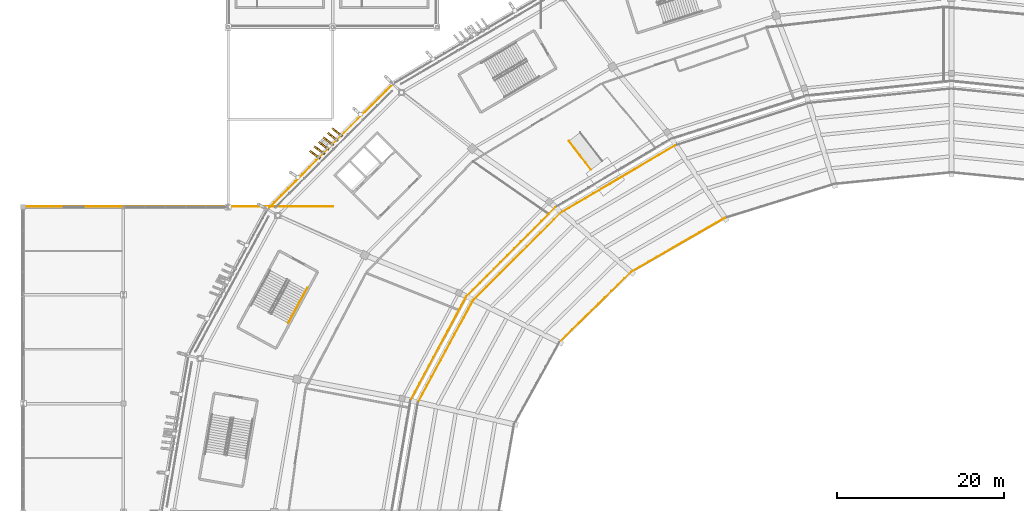
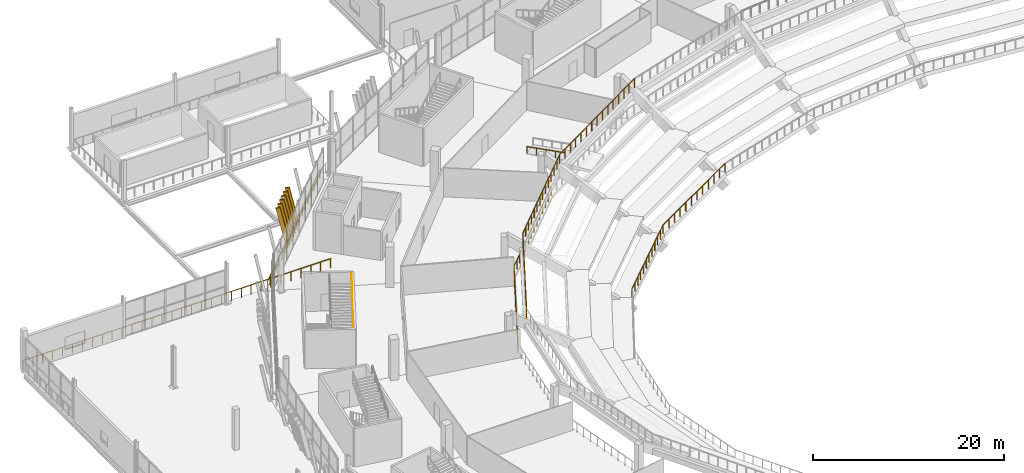
# One storey, part 157 of 178: 11 railings, 6 shading devices.
"""IFC4 building model written with IfcOpenShell, lengths in metres."""

from ifc_helpers import new_model, si_unit, direction, frame, origin, origin_2d, place, context, subcontext, project, spatial, rectangle, extrude, material, material_profile, profile_set, type_object, element, save


model = new_model("IFC4")

# Units and contexts
model_context = context("Model", 3, precision=1e-05, world=origin(), true_north=direction((0.0, 1.0)))
body_context = subcontext(model_context, "Body", "Model", "MODEL_VIEW")
ifc_project = project(units=[si_unit("LENGTHUNIT", "METRE"), si_unit("AREAUNIT", "SQUARE_METRE"), si_unit("VOLUMEUNIT", "CUBIC_METRE"), si_unit("PLANEANGLEUNIT", "RADIAN"), si_unit("MASSUNIT", "GRAM", prefix="KILO")], contexts=[model_context])

# Site, building, storey
site_placement = place(None, origin())
site = spatial("IfcSite", under=ifc_project, at=site_placement, CompositionType="ELEMENT")
building_placement = place(site_placement, origin())
building = spatial("IfcBuilding", under=site, at=building_placement, Name="Zlatoyarsky Gate Stadium", CompositionType="ELEMENT")
storey_placement = place(building_placement, frame((0.0, 0.0, 5.39990234375)))
storey = spatial("IfcBuildingStorey", under=building, at=storey_placement, Name="L01", CompositionType="ELEMENT", Elevation=5.39990234375)

# Railings
ifc_material_1 = material(Name="Galvanised steel sightline guardrail", Category="steel")
railing_type_1 = type_object("IfcRailingType", Name="BOWL FRONT SIGHTLINE GUARDRAIL 1150", PredefinedType="GUARDRAIL", material=ifc_material_1)
railing_1_placement = place(storey_placement, frame((83.925048828125, 115.203857421875, -3.349853515625)))
element("IfcRailing", 1, at=railing_1_placement, inside=storey, type_object=railing_type_1, Name="Lower bowl front guardrail 08", PredefinedType="GUARDRAIL", context=body_context, shape_type="SweptSolid", body=[
    extrude(rectangle(XDim=0.048095703125, YDim=0.048095703125, at=origin_2d()), frame((0.0, 0.0, 1.1259765625), z_axis=(-0.866524556925, -0.499134443057, 0.0), x_axis=(0.499134443057, -0.866524556925, 0.0)), (0.0, 0.0, 1.0), 12.9423828125),
    extrude(rectangle(XDim=0.0419921875, YDim=0.0419921875, at=origin_2d()), origin(), (0.0, 0.0, 1.0), 1.101806640625),
    extrude(rectangle(XDim=0.0419921875, YDim=0.0419921875, at=origin_2d()), frame((-1.01953125, -0.587158203125, 0.0)), (0.0, 0.0, 1.0), 1.101806640625),
    extrude(rectangle(XDim=0.0419921875, YDim=0.0419921875, at=origin_2d()), frame((-2.0390625, -1.174560546875, 0.0)), (0.0, 0.0, 1.0), 1.101806640625),
    extrude(rectangle(XDim=0.0419921875, YDim=0.0419921875, at=origin_2d()), frame((-3.05859375, -1.76171875, 0.0)), (0.0, 0.0, 1.0), 1.101806640625),
    extrude(rectangle(XDim=0.0419921875, YDim=0.0419921875, at=origin_2d()), frame((-4.078125, -2.34912109375, 0.0)), (0.0, 0.0, 1.0), 1.101806640625),
    extrude(rectangle(XDim=0.0419921875, YDim=0.0419921875, at=origin_2d()), frame((-5.09765625, -2.936279296875, 0.0)), (0.0, 0.0, 1.0), 1.101806640625),
    extrude(rectangle(XDim=0.0419921875, YDim=0.0419921875, at=origin_2d()), frame((-6.1171875, -3.523681640625, 0.0)), (0.0, 0.0, 1.0), 1.101806640625),
    extrude(rectangle(XDim=0.0419921875, YDim=0.0419921875, at=origin_2d()), frame((-7.13671875, -4.11083984375, 0.0)), (0.0, 0.0, 1.0), 1.101806640625),
    extrude(rectangle(XDim=0.0419921875, YDim=0.0419921875, at=origin_2d()), frame((-8.15625, -4.6982421875, 0.0)), (0.0, 0.0, 1.0), 1.101806640625),
    extrude(rectangle(XDim=0.0419921875, YDim=0.0419921875, at=origin_2d()), frame((-9.17578125, -5.285400390625, 0.0)), (0.0, 0.0, 1.0), 1.101806640625),
    extrude(rectangle(XDim=0.0419921875, YDim=0.0419921875, at=origin_2d()), frame((-10.1953125, -5.872802734375, 0.0)), (0.0, 0.0, 1.0), 1.101806640625),
    extrude(rectangle(XDim=0.0419921875, YDim=0.0419921875, at=origin_2d()), frame((-11.21484375, -6.4599609375, 0.0)), (0.0, 0.0, 1.0), 1.101806640625),
])
railing_2_placement = place(storey_placement, frame((72.710205078125, 108.743896484375, -3.349853515625)))
element("IfcRailing", 2, at=railing_2_placement, inside=storey, type_object=railing_type_1, Name="Lower bowl front guardrail 09", PredefinedType="GUARDRAIL", context=body_context, shape_type="SweptSolid", body=[
    extrude(rectangle(XDim=0.048095703125, YDim=0.048095703125, at=origin_2d()), frame((0.0, 0.0, 1.1259765625), z_axis=(-0.714811106108, -0.699317583495, 0.0), x_axis=(0.699317583495, -0.714811106108, 0.0)), (0.0, 0.0, 1.0), 12.038818359375),
    extrude(rectangle(XDim=0.0419921875, YDim=0.0419921875, at=origin_2d()), origin(), (0.0, 0.0, 1.0), 1.101806640625),
    extrude(rectangle(XDim=0.0419921875, YDim=0.0419921875, at=origin_2d()), frame((-0.7822265625, -0.765380859375, 0.0)), (0.0, 0.0, 1.0), 1.101806640625),
    extrude(rectangle(XDim=0.0419921875, YDim=0.0419921875, at=origin_2d()), frame((-1.564697265625, -1.53076171875, 0.0)), (0.0, 0.0, 1.0), 1.101806640625),
    extrude(rectangle(XDim=0.0419921875, YDim=0.0419921875, at=origin_2d()), frame((-2.346923828125, -2.296142578125, 0.0)), (0.0, 0.0, 1.0), 1.101806640625),
    extrude(rectangle(XDim=0.0419921875, YDim=0.0419921875, at=origin_2d()), frame((-3.129150390625, -3.0615234375, 0.0)), (0.0, 0.0, 1.0), 1.101806640625),
    extrude(rectangle(XDim=0.0419921875, YDim=0.0419921875, at=origin_2d()), frame((-3.91162109375, -3.826904296875, 0.0)), (0.0, 0.0, 1.0), 1.101806640625),
    extrude(rectangle(XDim=0.0419921875, YDim=0.0419921875, at=origin_2d()), frame((-4.69384765625, -4.592041015625, 0.0)), (0.0, 0.0, 1.0), 1.101806640625),
    extrude(rectangle(XDim=0.0419921875, YDim=0.0419921875, at=origin_2d()), frame((-5.476318359375, -5.357421875, 0.0)), (0.0, 0.0, 1.0), 1.101806640625),
    extrude(rectangle(XDim=0.0419921875, YDim=0.0419921875, at=origin_2d()), frame((-6.258544921875, -6.122802734375, 0.0)), (0.0, 0.0, 1.0), 1.101806640625),
    extrude(rectangle(XDim=0.0419921875, YDim=0.0419921875, at=origin_2d()), frame((-7.040771484375, -6.88818359375, 0.0)), (0.0, 0.0, 1.0), 1.101806640625),
    extrude(rectangle(XDim=0.0419921875, YDim=0.0419921875, at=origin_2d()), frame((-7.8232421875, -7.653564453125, 0.0)), (0.0, 0.0, 1.0), 1.101806640625),
    extrude(rectangle(XDim=0.0419921875, YDim=0.0419921875, at=origin_2d()), frame((-8.60546875, -8.4189453125, 0.0)), (0.0, 0.0, 1.0), 1.101806640625),
])
ifc_material_2 = material(Name="Powder-coated steel tubular guardrail", Category="steel")
railing_type_2 = type_object("IfcRailingType", Name="CONCOURSE SLAB EDGE GUARDRAIL 1200", PredefinedType="GUARDRAIL", material=ifc_material_2)
railing_3_placement = place(storey_placement, frame((77.97509765625, 123.8642578125, 4.25)))
element("IfcRailing", 3, at=railing_3_placement, inside=storey, type_object=railing_type_2, Name="Lower bowl back guardrail 08", PredefinedType="GUARDRAIL", context=body_context, shape_type="SweptSolid", body=[
    extrude(rectangle(XDim=0.048095703125, YDim=0.048095703125, at=origin_2d()), frame((0.0, 0.0, 1.17578125), z_axis=(-0.861863030795, -0.507141120546, 0.0), x_axis=(0.507141120546, -0.861863030795, 0.0)), (0.0, 0.0, 1.0), 15.871826171875),
    extrude(rectangle(XDim=0.0419921875, YDim=0.0419921875, at=origin_2d()), origin(), (0.0, 0.0, 1.0), 1.15185546875),
    extrude(rectangle(XDim=0.0419921875, YDim=0.0419921875, at=origin_2d()), frame((-0.97705078125, -0.574951171875, 0.0)), (0.0, 0.0, 1.0), 1.15185546875),
    extrude(rectangle(XDim=0.0419921875, YDim=0.0419921875, at=origin_2d()), frame((-1.9541015625, -1.14990234375, 0.0)), (0.0, 0.0, 1.0), 1.15185546875),
    extrude(rectangle(XDim=0.0419921875, YDim=0.0419921875, at=origin_2d()), frame((-2.931396484375, -1.724853515625, 0.0)), (0.0, 0.0, 1.0), 1.15185546875),
    extrude(rectangle(XDim=0.0419921875, YDim=0.0419921875, at=origin_2d()), frame((-3.908447265625, -2.2998046875, 0.0)), (0.0, 0.0, 1.0), 1.15185546875),
    extrude(rectangle(XDim=0.0419921875, YDim=0.0419921875, at=origin_2d()), frame((-4.885498046875, -2.874755859375, 0.0)), (0.0, 0.0, 1.0), 1.15185546875),
    extrude(rectangle(XDim=0.0419921875, YDim=0.0419921875, at=origin_2d()), frame((-5.862548828125, -3.44970703125, 0.0)), (0.0, 0.0, 1.0), 1.15185546875),
    extrude(rectangle(XDim=0.0419921875, YDim=0.0419921875, at=origin_2d()), frame((-6.83984375, -4.024658203125, 0.0)), (0.0, 0.0, 1.0), 1.15185546875),
    extrude(rectangle(XDim=0.0419921875, YDim=0.0419921875, at=origin_2d()), frame((-7.81689453125, -4.599609375, 0.0)), (0.0, 0.0, 1.0), 1.15185546875),
    extrude(rectangle(XDim=0.0419921875, YDim=0.0419921875, at=origin_2d()), frame((-8.7939453125, -5.174560546875, 0.0)), (0.0, 0.0, 1.0), 1.15185546875),
    extrude(rectangle(XDim=0.0419921875, YDim=0.0419921875, at=origin_2d()), frame((-9.77099609375, -5.74951171875, 0.0)), (0.0, 0.0, 1.0), 1.15185546875),
    extrude(rectangle(XDim=0.0419921875, YDim=0.0419921875, at=origin_2d()), frame((-10.748046875, -6.324462890625, 0.0)), (0.0, 0.0, 1.0), 1.15185546875),
    extrude(rectangle(XDim=0.0419921875, YDim=0.0419921875, at=origin_2d()), frame((-11.725341796875, -6.8994140625, 0.0)), (0.0, 0.0, 1.0), 1.15185546875),
    extrude(rectangle(XDim=0.0419921875, YDim=0.0419921875, at=origin_2d()), frame((-12.702392578125, -7.474365234375, 0.0)), (0.0, 0.0, 1.0), 1.15185546875),
    extrude(rectangle(XDim=0.0419921875, YDim=0.0419921875, at=origin_2d()), frame((-13.679443359375, -8.04931640625, 0.0)), (0.0, 0.0, 1.0), 1.15185546875),
])
railing_4_placement = place(storey_placement, frame((64.295654296875, 115.81494140625, 4.25)))
element("IfcRailing", 4, at=railing_4_placement, inside=storey, type_object=railing_type_2, Name="Lower bowl back guardrail 09", PredefinedType="GUARDRAIL", context=body_context, shape_type="SweptSolid", body=[
    extrude(rectangle(XDim=0.048095703125, YDim=0.048095703125, at=origin_2d()), frame((0.0, 0.0, 1.17578125), z_axis=(-0.707328845655, -0.706884646957, 0.0), x_axis=(0.706884646957, -0.707328845655, 0.0)), (0.0, 0.0, 1.0), 14.83984375),
    extrude(rectangle(XDim=0.0419921875, YDim=0.0419921875, at=origin_2d()), origin(), (0.0, 0.0, 1.0), 1.15185546875),
    extrude(rectangle(XDim=0.0419921875, YDim=0.0419921875, at=origin_2d()), frame((-0.807373046875, -0.806884765625, 0.0)), (0.0, 0.0, 1.0), 1.15185546875),
    extrude(rectangle(XDim=0.0419921875, YDim=0.0419921875, at=origin_2d()), frame((-1.61474609375, -1.61376953125, 0.0)), (0.0, 0.0, 1.0), 1.15185546875),
    extrude(rectangle(XDim=0.0419921875, YDim=0.0419921875, at=origin_2d()), frame((-2.42236328125, -2.420654296875, 0.0)), (0.0, 0.0, 1.0), 1.15185546875),
    extrude(rectangle(XDim=0.0419921875, YDim=0.0419921875, at=origin_2d()), frame((-3.229736328125, -3.227783203125, 0.0)), (0.0, 0.0, 1.0), 1.15185546875),
    extrude(rectangle(XDim=0.0419921875, YDim=0.0419921875, at=origin_2d()), frame((-4.037109375, -4.03466796875, 0.0)), (0.0, 0.0, 1.0), 1.15185546875),
    extrude(rectangle(XDim=0.0419921875, YDim=0.0419921875, at=origin_2d()), frame((-4.844482421875, -4.841552734375, 0.0)), (0.0, 0.0, 1.0), 1.15185546875),
    extrude(rectangle(XDim=0.0419921875, YDim=0.0419921875, at=origin_2d()), frame((-5.652099609375, -5.6484375, 0.0)), (0.0, 0.0, 1.0), 1.15185546875),
    extrude(rectangle(XDim=0.0419921875, YDim=0.0419921875, at=origin_2d()), frame((-6.45947265625, -6.455322265625, 0.0)), (0.0, 0.0, 1.0), 1.15185546875),
    extrude(rectangle(XDim=0.0419921875, YDim=0.0419921875, at=origin_2d()), frame((-7.266845703125, -7.26220703125, 0.0)), (0.0, 0.0, 1.0), 1.15185546875),
    extrude(rectangle(XDim=0.0419921875, YDim=0.0419921875, at=origin_2d()), frame((-8.07421875, -8.0693359375, 0.0)), (0.0, 0.0, 1.0), 1.15185546875),
    extrude(rectangle(XDim=0.0419921875, YDim=0.0419921875, at=origin_2d()), frame((-8.8818359375, -8.876220703125, 0.0)), (0.0, 0.0, 1.0), 1.15185546875),
    extrude(rectangle(XDim=0.0419921875, YDim=0.0419921875, at=origin_2d()), frame((-9.689208984375, -9.68310546875, 0.0)), (0.0, 0.0, 1.0), 1.15185546875),
    extrude(rectangle(XDim=0.0419921875, YDim=0.0419921875, at=origin_2d()), frame((-10.49658203125, -10.489990234375, 0.0)), (0.0, 0.0, 1.0), 1.15185546875),
])
railing_5_placement = place(storey_placement, frame((63.637939453125, 116.47265625, 0.0)))
element("IfcRailing", 5, at=railing_5_placement, inside=storey, type_object=railing_type_2, Name="L01 inner bowl edge guardrail 09", PredefinedType="GUARDRAIL", context=body_context, shape_type="SweptSolid", body=[
    extrude(rectangle(XDim=0.048095703125, YDim=0.048095703125, at=origin_2d()), frame((0.0, 0.0, 1.17578125), z_axis=(-0.70583478362, -0.708376494692, 0.0), x_axis=(0.708376494692, -0.70583478362, 0.0)), (0.0, 0.0, 1.0), 15.080322265625),
    extrude(rectangle(XDim=0.0419921875, YDim=0.0419921875, at=origin_2d()), origin(), (0.0, 0.0, 1.0), 1.15185546875),
    extrude(rectangle(XDim=0.0419921875, YDim=0.0419921875, at=origin_2d()), frame((-0.81884765625, -0.82177734375, 0.0)), (0.0, 0.0, 1.0), 1.15185546875),
    extrude(rectangle(XDim=0.0419921875, YDim=0.0419921875, at=origin_2d()), frame((-1.6376953125, -1.6435546875, 0.0)), (0.0, 0.0, 1.0), 1.15185546875),
    extrude(rectangle(XDim=0.0419921875, YDim=0.0419921875, at=origin_2d()), frame((-2.456298828125, -2.46533203125, 0.0)), (0.0, 0.0, 1.0), 1.15185546875),
    extrude(rectangle(XDim=0.0419921875, YDim=0.0419921875, at=origin_2d()), frame((-3.275146484375, -3.286865234375, 0.0)), (0.0, 0.0, 1.0), 1.15185546875),
    extrude(rectangle(XDim=0.0419921875, YDim=0.0419921875, at=origin_2d()), frame((-4.093994140625, -4.108642578125, 0.0)), (0.0, 0.0, 1.0), 1.15185546875),
    extrude(rectangle(XDim=0.0419921875, YDim=0.0419921875, at=origin_2d()), frame((-4.912841796875, -4.930419921875, 0.0)), (0.0, 0.0, 1.0), 1.15185546875),
    extrude(rectangle(XDim=0.0419921875, YDim=0.0419921875, at=origin_2d()), frame((-5.7314453125, -5.752197265625, 0.0)), (0.0, 0.0, 1.0), 1.15185546875),
    extrude(rectangle(XDim=0.0419921875, YDim=0.0419921875, at=origin_2d()), frame((-6.55029296875, -6.573974609375, 0.0)), (0.0, 0.0, 1.0), 1.15185546875),
    extrude(rectangle(XDim=0.0419921875, YDim=0.0419921875, at=origin_2d()), frame((-7.369140625, -7.395751953125, 0.0)), (0.0, 0.0, 1.0), 1.15185546875),
    extrude(rectangle(XDim=0.0419921875, YDim=0.0419921875, at=origin_2d()), frame((-8.18798828125, -8.21728515625, 0.0)), (0.0, 0.0, 1.0), 1.15185546875),
    extrude(rectangle(XDim=0.0419921875, YDim=0.0419921875, at=origin_2d()), frame((-9.006591796875, -9.0390625, 0.0)), (0.0, 0.0, 1.0), 1.15185546875),
    extrude(rectangle(XDim=0.0419921875, YDim=0.0419921875, at=origin_2d()), frame((-9.825439453125, -9.86083984375, 0.0)), (0.0, 0.0, 1.0), 1.15185546875),
    extrude(rectangle(XDim=0.0419921875, YDim=0.0419921875, at=origin_2d()), frame((-10.644287109375, -10.6826171875, 0.0)), (0.0, 0.0, 1.0), 1.15185546875),
])
railing_6_placement = place(storey_placement, frame((53.799072265625, 105.324951171875, 4.25)))
element("IfcRailing", 6, at=railing_6_placement, inside=storey, type_object=railing_type_2, Name="Lower bowl back guardrail 10", PredefinedType="GUARDRAIL", context=body_context, shape_type="SweptSolid", body=[
    extrude(rectangle(XDim=0.048095703125, YDim=0.048095703125, at=origin_2d()), frame((0.0, 0.0, 1.17578125), z_axis=(-0.475251836211, -0.879849812285, 0.0), x_axis=(0.879849812285, -0.475251836211, 0.0)), (0.0, 0.0, 1.0), 13.884033203125),
    extrude(rectangle(XDim=0.0419921875, YDim=0.0419921875, at=origin_2d()), origin(), (0.0, 0.0, 1.0), 1.15185546875),
    extrude(rectangle(XDim=0.0419921875, YDim=0.0419921875, at=origin_2d()), frame((-0.5498046875, -1.01806640625, 0.0)), (0.0, 0.0, 1.0), 1.15185546875),
    extrude(rectangle(XDim=0.0419921875, YDim=0.0419921875, at=origin_2d()), frame((-1.099609375, -2.035888671875, 0.0)), (0.0, 0.0, 1.0), 1.15185546875),
    extrude(rectangle(XDim=0.0419921875, YDim=0.0419921875, at=origin_2d()), frame((-1.649658203125, -3.053955078125, 0.0)), (0.0, 0.0, 1.0), 1.15185546875),
    extrude(rectangle(XDim=0.0419921875, YDim=0.0419921875, at=origin_2d()), frame((-2.199462890625, -4.072021484375, 0.0)), (0.0, 0.0, 1.0), 1.15185546875),
    extrude(rectangle(XDim=0.0419921875, YDim=0.0419921875, at=origin_2d()), frame((-2.749267578125, -5.08984375, 0.0)), (0.0, 0.0, 1.0), 1.15185546875),
    extrude(rectangle(XDim=0.0419921875, YDim=0.0419921875, at=origin_2d()), frame((-3.29931640625, -6.10791015625, 0.0)), (0.0, 0.0, 1.0), 1.15185546875),
    extrude(rectangle(XDim=0.0419921875, YDim=0.0419921875, at=origin_2d()), frame((-3.84912109375, -7.1259765625, 0.0)), (0.0, 0.0, 1.0), 1.15185546875),
    extrude(rectangle(XDim=0.0419921875, YDim=0.0419921875, at=origin_2d()), frame((-4.39892578125, -8.143798828125, 0.0)), (0.0, 0.0, 1.0), 1.15185546875),
    extrude(rectangle(XDim=0.0419921875, YDim=0.0419921875, at=origin_2d()), frame((-4.94873046875, -9.161865234375, 0.0)), (0.0, 0.0, 1.0), 1.15185546875),
    extrude(rectangle(XDim=0.0419921875, YDim=0.0419921875, at=origin_2d()), frame((-5.49853515625, -10.179931640625, 0.0)), (0.0, 0.0, 1.0), 1.15185546875),
    extrude(rectangle(XDim=0.0419921875, YDim=0.0419921875, at=origin_2d()), frame((-6.048583984375, -11.19775390625, 0.0)), (0.0, 0.0, 1.0), 1.15185546875),
    extrude(rectangle(XDim=0.0419921875, YDim=0.0419921875, at=origin_2d()), frame((-6.598388671875, -12.2158203125, 0.0)), (0.0, 0.0, 1.0), 1.15185546875),
])
railing_7_placement = place(storey_placement, frame((52.99365234375, 105.7900390625, 0.0)))
element("IfcRailing", 7, at=railing_7_placement, inside=storey, type_object=railing_type_2, Name="L01 inner bowl edge guardrail 10", PredefinedType="GUARDRAIL", context=body_context, shape_type="SweptSolid", body=[
    extrude(rectangle(XDim=0.048095703125, YDim=0.048095703125, at=origin_2d()), frame((0.0, 0.0, 1.17578125), z_axis=(-0.473707090827, -0.880682458154, 0.0), x_axis=(0.880682458154, -0.473707090827, 0.0)), (0.0, 0.0, 1.0), 14.125732421875),
    extrude(rectangle(XDim=0.0419921875, YDim=0.0419921875, at=origin_2d()), origin(), (0.0, 0.0, 1.0), 1.15185546875),
    extrude(rectangle(XDim=0.0419921875, YDim=0.0419921875, at=origin_2d()), frame((-0.5576171875, -1.03662109375, 0.0)), (0.0, 0.0, 1.0), 1.15185546875),
    extrude(rectangle(XDim=0.0419921875, YDim=0.0419921875, at=origin_2d()), frame((-1.115234375, -2.0732421875, 0.0)), (0.0, 0.0, 1.0), 1.15185546875),
    extrude(rectangle(XDim=0.0419921875, YDim=0.0419921875, at=origin_2d()), frame((-1.6728515625, -3.110107421875, 0.0)), (0.0, 0.0, 1.0), 1.15185546875),
    extrude(rectangle(XDim=0.0419921875, YDim=0.0419921875, at=origin_2d()), frame((-2.23046875, -4.146728515625, 0.0)), (0.0, 0.0, 1.0), 1.15185546875),
    extrude(rectangle(XDim=0.0419921875, YDim=0.0419921875, at=origin_2d()), frame((-2.7880859375, -5.183349609375, 0.0)), (0.0, 0.0, 1.0), 1.15185546875),
    extrude(rectangle(XDim=0.0419921875, YDim=0.0419921875, at=origin_2d()), frame((-3.345703125, -6.22021484375, 0.0)), (0.0, 0.0, 1.0), 1.15185546875),
    extrude(rectangle(XDim=0.0419921875, YDim=0.0419921875, at=origin_2d()), frame((-3.9033203125, -7.2568359375, 0.0)), (0.0, 0.0, 1.0), 1.15185546875),
    extrude(rectangle(XDim=0.0419921875, YDim=0.0419921875, at=origin_2d()), frame((-4.4609375, -8.29345703125, 0.0)), (0.0, 0.0, 1.0), 1.15185546875),
    extrude(rectangle(XDim=0.0419921875, YDim=0.0419921875, at=origin_2d()), frame((-5.0185546875, -9.330078125, 0.0)), (0.0, 0.0, 1.0), 1.15185546875),
    extrude(rectangle(XDim=0.0419921875, YDim=0.0419921875, at=origin_2d()), frame((-5.576171875, -10.36669921875, 0.0)), (0.0, 0.0, 1.0), 1.15185546875),
    extrude(rectangle(XDim=0.0419921875, YDim=0.0419921875, at=origin_2d()), frame((-6.1337890625, -11.403564453125, 0.0)), (0.0, 0.0, 1.0), 1.15185546875),
    extrude(rectangle(XDim=0.0419921875, YDim=0.0419921875, at=origin_2d()), frame((-6.69140625, -12.440185546875, 0.0)), (0.0, 0.0, 1.0), 1.15185546875),
])
railing_8_placement = place(storey_placement, frame((44.22900390625, 131.214599609375, 0.0)))
element("IfcRailing", 8, at=railing_8_placement, inside=storey, type_object=railing_type_2, Name="L01 outer slab edge guardrail 09", PredefinedType="GUARDRAIL", context=body_context, shape_type="SweptSolid", body=[
    extrude(rectangle(XDim=0.048095703125, YDim=0.048095703125, at=origin_2d()), frame((0.0, 0.0, 1.17578125), z_axis=(-0.707250593855, -0.706962939263, 0.0), x_axis=(0.706962939263, -0.707250593855, 0.0)), (0.0, 0.0, 1.0), 21.21826171875),
    extrude(rectangle(XDim=0.0419921875, YDim=0.0419921875, at=origin_2d()), origin(), (0.0, 0.0, 1.0), 1.15185546875),
    extrude(rectangle(XDim=0.0419921875, YDim=0.0419921875, at=origin_2d()), frame((-0.833740234375, -0.833251953125, 0.0)), (0.0, 0.0, 1.0), 1.15185546875),
    extrude(rectangle(XDim=0.0419921875, YDim=0.0419921875, at=origin_2d()), frame((-1.66748046875, -1.666748046875, 0.0)), (0.0, 0.0, 1.0), 1.15185546875),
    extrude(rectangle(XDim=0.0419921875, YDim=0.0419921875, at=origin_2d()), frame((-2.5009765625, -2.5, 0.0)), (0.0, 0.0, 1.0), 1.15185546875),
    extrude(rectangle(XDim=0.0419921875, YDim=0.0419921875, at=origin_2d()), frame((-3.334716796875, -3.33349609375, 0.0)), (0.0, 0.0, 1.0), 1.15185546875),
    extrude(rectangle(XDim=0.0419921875, YDim=0.0419921875, at=origin_2d()), frame((-4.16845703125, -4.166748046875, 0.0)), (0.0, 0.0, 1.0), 1.15185546875),
    extrude(rectangle(XDim=0.0419921875, YDim=0.0419921875, at=origin_2d()), frame((-5.002197265625, -5.000244140625, 0.0)), (0.0, 0.0, 1.0), 1.15185546875),
    extrude(rectangle(XDim=0.0419921875, YDim=0.0419921875, at=origin_2d()), frame((-5.8359375, -5.83349609375, 0.0)), (0.0, 0.0, 1.0), 1.15185546875),
    extrude(rectangle(XDim=0.0419921875, YDim=0.0419921875, at=origin_2d()), frame((-6.669677734375, -6.6669921875, 0.0)), (0.0, 0.0, 1.0), 1.15185546875),
    extrude(rectangle(XDim=0.0419921875, YDim=0.0419921875, at=origin_2d()), frame((-7.50341796875, -7.500244140625, 0.0)), (0.0, 0.0, 1.0), 1.15185546875),
    extrude(rectangle(XDim=0.0419921875, YDim=0.0419921875, at=origin_2d()), frame((-8.3369140625, -8.33349609375, 0.0)), (0.0, 0.0, 1.0), 1.15185546875),
    extrude(rectangle(XDim=0.0419921875, YDim=0.0419921875, at=origin_2d()), frame((-9.170654296875, -9.1669921875, 0.0)), (0.0, 0.0, 1.0), 1.15185546875),
    extrude(rectangle(XDim=0.0419921875, YDim=0.0419921875, at=origin_2d()), frame((-10.00439453125, -10.000244140625, 0.0)), (0.0, 0.0, 1.0), 1.15185546875),
    extrude(rectangle(XDim=0.0419921875, YDim=0.0419921875, at=origin_2d()), frame((-10.838134765625, -10.833740234375, 0.0)), (0.0, 0.0, 1.0), 1.15185546875),
    extrude(rectangle(XDim=0.0419921875, YDim=0.0419921875, at=origin_2d()), frame((-11.671875, -11.6669921875, 0.0)), (0.0, 0.0, 1.0), 1.15185546875),
    extrude(rectangle(XDim=0.0419921875, YDim=0.0419921875, at=origin_2d()), frame((-12.50537109375, -12.50048828125, 0.0)), (0.0, 0.0, 1.0), 1.15185546875),
    extrude(rectangle(XDim=0.0419921875, YDim=0.0419921875, at=origin_2d()), frame((-13.339111328125, -13.333740234375, 0.0)), (0.0, 0.0, 1.0), 1.15185546875),
    extrude(rectangle(XDim=0.0419921875, YDim=0.0419921875, at=origin_2d()), frame((-14.1728515625, -14.167236328125, 0.0)), (0.0, 0.0, 1.0), 1.15185546875),
    extrude(rectangle(XDim=0.0419921875, YDim=0.0419921875, at=origin_2d()), frame((-15.006591796875, -15.00048828125, 0.0)), (0.0, 0.0, 1.0), 1.15185546875),
])
railing_9_placement = place(storey_placement, frame((-0.080078125, 116.580078125, 0.0)))
element("IfcRailing", 9, at=railing_9_placement, inside=storey, type_object=railing_type_2, Name="V4_WEST L01 N slab edge guardrail", PredefinedType="GUARDRAIL", context=body_context, shape_type="SweptSolid", body=[
    extrude(rectangle(XDim=0.048095703125, YDim=0.048095703125, at=origin_2d()), frame((0.0, 0.0, 1.17578125), z_axis=(1.0, 0.0, 0.0), x_axis=(0.0, 1.0, 0.0)), (0.0, 0.0, 1.0), 37.16015625),
    extrude(rectangle(XDim=0.0419921875, YDim=0.0419921875, at=origin_2d()), origin(), (0.0, 0.0, 1.0), 1.15185546875),
    extrude(rectangle(XDim=0.0419921875, YDim=0.0419921875, at=origin_2d()), frame((1.19873046875, 0.0, 0.0)), (0.0, 0.0, 1.0), 1.15185546875),
    extrude(rectangle(XDim=0.0419921875, YDim=0.0419921875, at=origin_2d()), frame((2.3974609375, 0.0, 0.0)), (0.0, 0.0, 1.0), 1.15185546875),
    extrude(rectangle(XDim=0.0419921875, YDim=0.0419921875, at=origin_2d()), frame((3.59619140625, 0.0, 0.0)), (0.0, 0.0, 1.0), 1.15185546875),
    extrude(rectangle(XDim=0.0419921875, YDim=0.0419921875, at=origin_2d()), frame((4.794921875, 0.0, 0.0)), (0.0, 0.0, 1.0), 1.15185546875),
    extrude(rectangle(XDim=0.0419921875, YDim=0.0419921875, at=origin_2d()), frame((5.99365234375, 0.0, 0.0)), (0.0, 0.0, 1.0), 1.15185546875),
    extrude(rectangle(XDim=0.0419921875, YDim=0.0419921875, at=origin_2d()), frame((7.1923828125, 0.0, 0.0)), (0.0, 0.0, 1.0), 1.15185546875),
    extrude(rectangle(XDim=0.0419921875, YDim=0.0419921875, at=origin_2d()), frame((8.39111328125, 0.0, 0.0)), (0.0, 0.0, 1.0), 1.15185546875),
    extrude(rectangle(XDim=0.0419921875, YDim=0.0419921875, at=origin_2d()), frame((9.589599609375, 0.0, 0.0)), (0.0, 0.0, 1.0), 1.15185546875),
    extrude(rectangle(XDim=0.0419921875, YDim=0.0419921875, at=origin_2d()), frame((10.788330078125, 0.0, 0.0)), (0.0, 0.0, 1.0), 1.15185546875),
    extrude(rectangle(XDim=0.0419921875, YDim=0.0419921875, at=origin_2d()), frame((11.987060546875, 0.0, 0.0)), (0.0, 0.0, 1.0), 1.15185546875),
    extrude(rectangle(XDim=0.0419921875, YDim=0.0419921875, at=origin_2d()), frame((13.185791015625, 0.0, 0.0)), (0.0, 0.0, 1.0), 1.15185546875),
    extrude(rectangle(XDim=0.0419921875, YDim=0.0419921875, at=origin_2d()), frame((14.384521484375, 0.0, 0.0)), (0.0, 0.0, 1.0), 1.15185546875),
    extrude(rectangle(XDim=0.0419921875, YDim=0.0419921875, at=origin_2d()), frame((15.583251953125, 0.0, 0.0)), (0.0, 0.0, 1.0), 1.15185546875),
    extrude(rectangle(XDim=0.0419921875, YDim=0.0419921875, at=origin_2d()), frame((16.781982421875, 0.0, 0.0)), (0.0, 0.0, 1.0), 1.15185546875),
    extrude(rectangle(XDim=0.0419921875, YDim=0.0419921875, at=origin_2d()), frame((17.980712890625, 0.0, 0.0)), (0.0, 0.0, 1.0), 1.15185546875),
    extrude(rectangle(XDim=0.0419921875, YDim=0.0419921875, at=origin_2d()), frame((19.179443359375, 0.0, 0.0)), (0.0, 0.0, 1.0), 1.15185546875),
    extrude(rectangle(XDim=0.0419921875, YDim=0.0419921875, at=origin_2d()), frame((20.378173828125, 0.0, 0.0)), (0.0, 0.0, 1.0), 1.15185546875),
    extrude(rectangle(XDim=0.0419921875, YDim=0.0419921875, at=origin_2d()), frame((21.576904296875, 0.0, 0.0)), (0.0, 0.0, 1.0), 1.15185546875),
    extrude(rectangle(XDim=0.0419921875, YDim=0.0419921875, at=origin_2d()), frame((22.775634765625, 0.0, 0.0)), (0.0, 0.0, 1.0), 1.15185546875),
    extrude(rectangle(XDim=0.0419921875, YDim=0.0419921875, at=origin_2d()), frame((23.974365234375, 0.0, 0.0)), (0.0, 0.0, 1.0), 1.15185546875),
    extrude(rectangle(XDim=0.0419921875, YDim=0.0419921875, at=origin_2d()), frame((25.173095703125, 0.0, 0.0)), (0.0, 0.0, 1.0), 1.15185546875),
    extrude(rectangle(XDim=0.0419921875, YDim=0.0419921875, at=origin_2d()), frame((26.371826171875, 0.0, 0.0)), (0.0, 0.0, 1.0), 1.15185546875),
    extrude(rectangle(XDim=0.0419921875, YDim=0.0419921875, at=origin_2d()), frame((27.570556640625, 0.0, 0.0)), (0.0, 0.0, 1.0), 1.15185546875),
    extrude(rectangle(XDim=0.0419921875, YDim=0.0419921875, at=origin_2d()), frame((28.76904296875, 0.0, 0.0)), (0.0, 0.0, 1.0), 1.15185546875),
    extrude(rectangle(XDim=0.0419921875, YDim=0.0419921875, at=origin_2d()), frame((29.9677734375, 0.0, 0.0)), (0.0, 0.0, 1.0), 1.15185546875),
    extrude(rectangle(XDim=0.0419921875, YDim=0.0419921875, at=origin_2d()), frame((31.16650390625, 0.0, 0.0)), (0.0, 0.0, 1.0), 1.15185546875),
    extrude(rectangle(XDim=0.0419921875, YDim=0.0419921875, at=origin_2d()), frame((32.365234375, 0.0, 0.0)), (0.0, 0.0, 1.0), 1.15185546875),
    extrude(rectangle(XDim=0.0419921875, YDim=0.0419921875, at=origin_2d()), frame((33.56396484375, 0.0, 0.0)), (0.0, 0.0, 1.0), 1.15185546875),
    extrude(rectangle(XDim=0.0419921875, YDim=0.0419921875, at=origin_2d()), frame((34.7626953125, 0.0, 0.0)), (0.0, 0.0, 1.0), 1.15185546875),
    extrude(rectangle(XDim=0.0419921875, YDim=0.0419921875, at=origin_2d()), frame((35.96142578125, 0.0, 0.0)), (0.0, 0.0, 1.0), 1.15185546875),
    extrude(rectangle(XDim=0.0419921875, YDim=0.0419921875, at=origin_2d()), frame((37.16015625, 0.0, 0.0)), (0.0, 0.0, 1.0), 1.15185546875),
])

# Shading devices
ifc_material_3 = material(Name="Precast concrete C40/50 stone-toned architectural rib", Category="masonry")
ifc_material_profile = material_profile(ifc_material_3, rectangle(XDim=0.199951171875, YDim=0.47998046875, at=origin_2d()), Name="RIB 200X480")
ifc_profile_set = profile_set([ifc_material_profile], Name="Precast concrete C40/50 stone-toned architectural rib")
shading_device_type = type_object("IfcShadingDeviceType", Name="PRECAST FLUTED GATE LOUVRE BLADE 200X480", PredefinedType="SHUTTER", material=ifc_profile_set)
for number, where, z_axis, x_axis, name in (
    (10, (37.972900390625, 125.1005859375, -0.010009765625), (-0.171821134401, 0.138342216298, 0.975366048703), (-0.627139127101, -0.778907257161, 0.0), "Leaning bowl louvre fin L01-09-1"),
    (11, (37.442626953125, 124.5703125, -0.010009765625), (-0.173093917752, 0.136714684597, 0.975370488918), (-0.619816293776, -0.784746941357, 0.0), "Leaning bowl louvre fin L01-09-2"),
    (12, (36.912353515625, 124.0400390625, -0.010009765625), (-0.17436716658, 0.135036609309, 0.975377468145), (-0.61229416772, -0.790630034957, 0.0), "Leaning bowl louvre fin L01-09-3"),
    (13, (36.3818359375, 123.509765625, -0.010009765625), (-0.17558915102, 0.133409085475, 0.975382215317), (-0.604972109105, -0.796246662288, 0.0), "Leaning bowl louvre fin L01-09-4"),
    (14, (35.8515625, 122.9794921875, -0.010009765625), (-0.176859704381, 0.131779814254, 0.975374146429), (-0.597487139672, -0.801878493243, 0.0), "Leaning bowl louvre fin L01-09-5"),
    (15, (35.3212890625, 122.44921875, -0.010009765625), (-0.178129476325, 0.130150014407, 0.975361914068), (-0.589952980625, -0.807437601708, 0.0), "Leaning bowl louvre fin L01-09-6"),
):
    element("IfcShadingDevice", number, at=place(storey_placement, frame(where, z_axis=z_axis, x_axis=x_axis)), inside=storey, type_object=shading_device_type, Name=name, PredefinedType="SHUTTER", context=body_context, shape_type="SweptSolid", body=[
        extrude(rectangle(XDim=0.199951171875, YDim=0.47998046875, at=origin_2d()), origin(), (0.0, 0.0, 1.0), 4.79833984375),
    ])

# Railings
ifc_material_4 = material(Name="Brushed stainless steel 316 handrail", Category="steel")
railing_type_3 = type_object("IfcRailingType", Name="STAINLESS STEEL TUBULAR HANDRAIL 900", PredefinedType="HANDRAIL", material=ifc_material_4)
railing_10_placement = place(storey_placement, frame((31.701904296875, 102.6298828125, 2.7666015625)))
element("IfcRailing", 16, at=railing_10_placement, inside=storey, type_object=railing_type_3, Name="ST-06 L01 stair handrail 2", PredefinedType="HANDRAIL", context=body_context, shape_type="SweptSolid", body=[
    extrude(rectangle(XDim=0.048095703125, YDim=0.048095703125, at=origin_2d()), frame((0.0, 0.0, 0.8759765625), z_axis=(0.419322212027, 0.772856990832, 0.476299227612), x_axis=(-0.878962478599, 0.4768909322, 0.0)), (0.0, 0.0, 1.0), 5.458984375),
    extrude(rectangle(XDim=0.0419921875, YDim=0.0419921875, at=origin_2d()), origin(), (0.0, 0.0, 1.0), 0.851806640625),
    extrude(rectangle(XDim=0.0419921875, YDim=0.0419921875, at=origin_2d()), frame((0.457763671875, 0.84375, 0.52001953125)), (0.0, 0.0, 1.0), 0.851806640625),
    extrude(rectangle(XDim=0.0419921875, YDim=0.0419921875, at=origin_2d()), frame((0.91552734375, 1.6875, 1.0400390625)), (0.0, 0.0, 1.0), 0.851806640625),
    extrude(rectangle(XDim=0.0419921875, YDim=0.0419921875, at=origin_2d()), frame((1.37353515625, 2.531494140625, 1.56005859375)), (0.0, 0.0, 1.0), 0.851806640625),
    extrude(rectangle(XDim=0.0419921875, YDim=0.0419921875, at=origin_2d()), frame((1.831298828125, 3.375244140625, 2.080078125)), (0.0, 0.0, 1.0), 0.851806640625),
    extrude(rectangle(XDim=0.0419921875, YDim=0.0419921875, at=origin_2d()), frame((2.2890625, 4.218994140625, 2.60009765625)), (0.0, 0.0, 1.0), 0.851806640625),
])
railing_11_placement = place(storey_placement, frame((65.277587890625, 124.38671875, 0.0)))
element("IfcRailing", 17, at=railing_11_placement, inside=storey, type_object=railing_type_3, Name="AR-02 accessible ramp handrail R", PredefinedType="HANDRAIL", context=body_context, shape_type="SweptSolid", body=[
    extrude(rectangle(XDim=0.048095703125, YDim=0.048095703125, at=origin_2d()), frame((0.0, 0.0, 0.8759765625), z_axis=(0.60663969742, -0.790625205355, 0.083066612857), x_axis=(0.79336708443, 0.60874351688, 0.0)), (0.0, 0.0, 1.0), 4.335205078125),
    extrude(rectangle(XDim=0.0419921875, YDim=0.0419921875, at=origin_2d()), origin(), (0.0, 0.0, 1.0), 0.851806640625),
    extrude(rectangle(XDim=0.0419921875, YDim=0.0419921875, at=origin_2d()), frame((0.657470703125, -0.85693359375, 0.090087890625)), (0.0, 0.0, 1.0), 0.851806640625),
    extrude(rectangle(XDim=0.0419921875, YDim=0.0419921875, at=origin_2d()), frame((1.31494140625, -1.7138671875, 0.18017578125)), (0.0, 0.0, 1.0), 0.851806640625),
    extrude(rectangle(XDim=0.0419921875, YDim=0.0419921875, at=origin_2d()), frame((1.972412109375, -2.570556640625, 0.27001953125)), (0.0, 0.0, 1.0), 0.851806640625),
    extrude(rectangle(XDim=0.0419921875, YDim=0.0419921875, at=origin_2d()), frame((2.6298828125, -3.427490234375, 0.360107421875)), (0.0, 0.0, 1.0), 0.851806640625),
])

save(model, "model.ifc")
